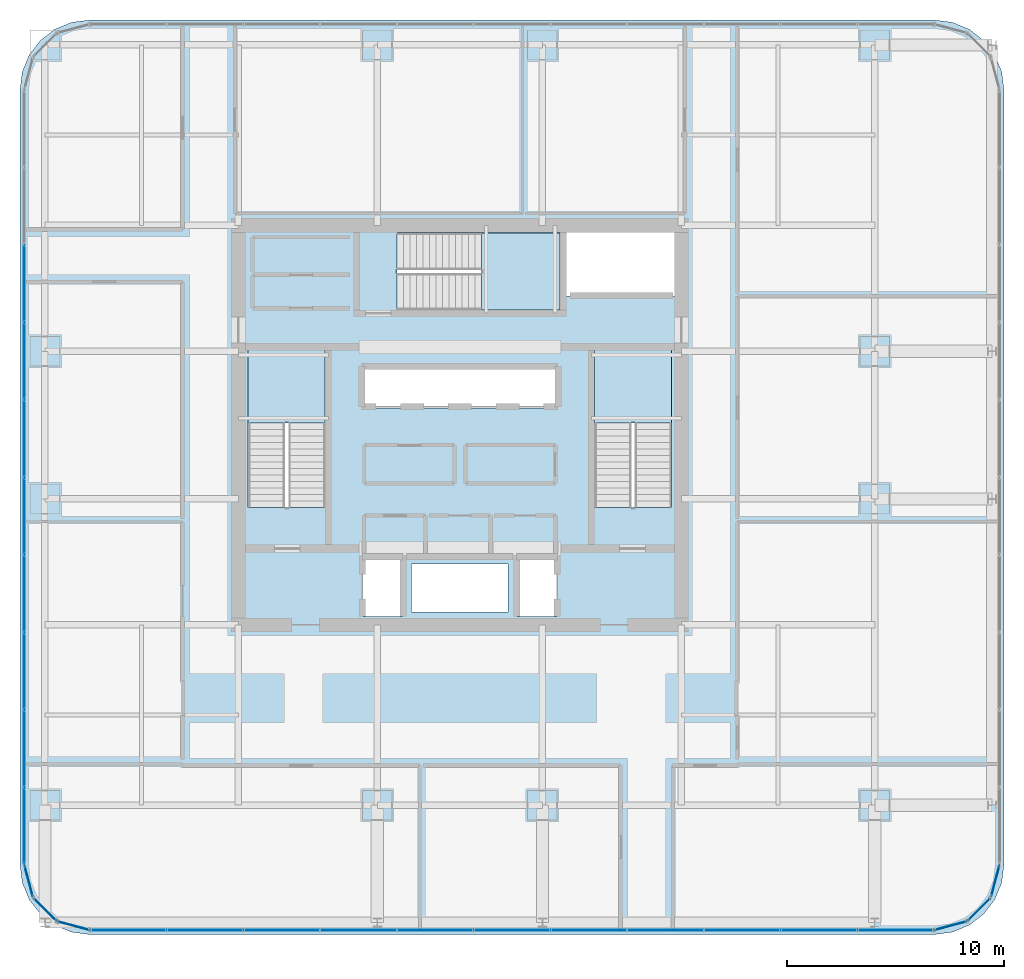
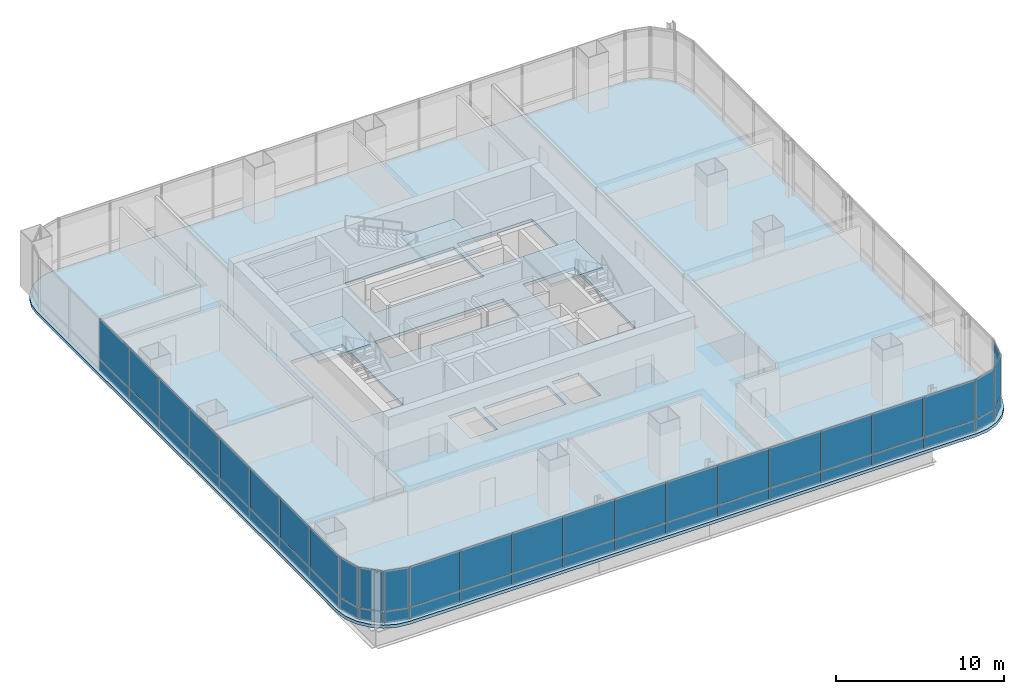
# One storey, part 27 of 36: 50 plates, 4 slabs, 11 elements without a shape of their own.
"""IFC4 building model written with IfcOpenShell, lengths in metres."""

from ifc_helpers import new_model, si_unit, direction, frame, origin, origin_2d, place, context, subcontext, project, spatial, polyline, rectangle, outline, extrude, material, layer, layer_set, type_object, element, aggregate, save


model = new_model("IFC4")

# Units and contexts
model_context = context("Model", 3, precision=1e-05, world=origin(), true_north=direction((0.0, 1.0)))
body_context = subcontext(model_context, "Body", "Model", "MODEL_VIEW")
ifc_project = project(units=[si_unit("LENGTHUNIT", "METRE"), si_unit("AREAUNIT", "SQUARE_METRE"), si_unit("VOLUMEUNIT", "CUBIC_METRE"), si_unit("PLANEANGLEUNIT", "RADIAN"), si_unit("MASSUNIT", "GRAM", prefix="KILO")], contexts=[model_context])

# Site, building, storey
site_placement = place(None, origin())
site = spatial("IfcSite", under=ifc_project, at=site_placement, CompositionType="ELEMENT")
building_placement = place(site_placement, origin())
building = spatial("IfcBuilding", under=site, at=building_placement, Name="Punatoya Terracotta Tower", CompositionType="ELEMENT")
storey_placement = place(building_placement, frame((0.0, 0.0, 208.64990234375)))
storey = spatial("IfcBuildingStorey", under=building, at=storey_placement, Name="L49", CompositionType="ELEMENT", Elevation=208.64990234375)

# Curtain wall, plates
ifc_material_1 = material(Name="Aluminium 6063-T6 + Double Low-E Glass", Category="aluminium")
curtain_wall_type = type_object("IfcCurtainWallType", Name="CW-M2", PredefinedType="NOTDEFINED", material=ifc_material_1)
curtain_wall_1_placement = place(storey_placement, origin())
curtain_wall_1 = element("IfcCurtainWall", 1, at=curtain_wall_1_placement, inside=storey, type_object=curtain_wall_type, Name="L49 Curtain Wall CW-L49-S01-1", PredefinedType="NOTDEFINED")
ifc_material_2 = material(Name="Double Low-E Acoustic Vision Glass", Category="glass")
ifc_layer_1 = layer(ifc_material_2, 0.031982421875)
ifc_layer_set_1 = layer_set([ifc_layer_1], Name="Double Low-E Acoustic Vision Glass")
plate_type_1 = type_object("IfcPlateType", Name="PLT-GLZ-32", PredefinedType="CURTAIN_PANEL", material=ifc_layer_set_1)
plate_1_placement = place(storey_placement, frame((-15.27001953125, -23.25, 0.89013671875), z_axis=(0.0, 0.0, 1.0), x_axis=(1.0, 0.0, 0.0)))
plate_1 = element("IfcPlate", 2, at=plate_1_placement, type_object=plate_type_1, Name="CW-L49-S01-1 Vision Glass Panel 1", PredefinedType="CURTAIN_PANEL", context=body_context, shape_type="SweptSolid", body=[
    extrude(rectangle(XDim=3.448974609375, YDim=0.031982421875, at=origin_2d()), origin(), (0.0, 0.0, 1.0), 2.89990234375),
])
plate_2_placement = place(storey_placement, frame((-11.73583984375, -23.25, 0.89013671875), z_axis=(0.0, 0.0, 1.0), x_axis=(1.0, 0.0, 0.0)))
plate_2 = element("IfcPlate", 3, at=plate_2_placement, type_object=plate_type_1, Name="CW-L49-S01-1 Vision Glass Panel 2", PredefinedType="CURTAIN_PANEL", context=body_context, shape_type="SweptSolid", body=[
    extrude(rectangle(XDim=3.448974609375, YDim=0.031982421875, at=origin_2d()), origin(), (0.0, 0.0, 1.0), 2.89990234375),
])
plate_3_placement = place(storey_placement, frame((-8.201904296875, -23.25, 0.89013671875), z_axis=(0.0, 0.0, 1.0), x_axis=(1.0, 0.0, 0.0)))
plate_3 = element("IfcPlate", 4, at=plate_3_placement, type_object=plate_type_1, Name="CW-L49-S01-1 Vision Glass Panel 3", PredefinedType="CURTAIN_PANEL", context=body_context, shape_type="SweptSolid", body=[
    extrude(rectangle(XDim=3.448974609375, YDim=0.031982421875, at=origin_2d()), origin(), (0.0, 0.0, 1.0), 2.89990234375),
])
plate_4_placement = place(storey_placement, frame((-4.66796875, -23.25, 0.89013671875), z_axis=(0.0, 0.0, 1.0), x_axis=(1.0, 0.0, 0.0)))
plate_4 = element("IfcPlate", 5, at=plate_4_placement, type_object=plate_type_1, Name="CW-L49-S01-1 Vision Glass Panel 4", PredefinedType="CURTAIN_PANEL", context=body_context, shape_type="SweptSolid", body=[
    extrude(rectangle(XDim=3.448974609375, YDim=0.031982421875, at=origin_2d()), origin(), (0.0, 0.0, 1.0), 2.89990234375),
])
plate_5_placement = place(storey_placement, frame((-1.134033203125, -23.25, 0.89013671875), z_axis=(0.0, 0.0, 1.0), x_axis=(1.0, 0.0, 0.0)))
plate_5 = element("IfcPlate", 6, at=plate_5_placement, type_object=plate_type_1, Name="CW-L49-S01-1 Vision Glass Panel 5", PredefinedType="CURTAIN_PANEL", context=body_context, shape_type="SweptSolid", body=[
    extrude(rectangle(XDim=3.448974609375, YDim=0.031982421875, at=origin_2d()), origin(), (0.0, 0.0, 1.0), 2.89990234375),
])
plate_6_placement = place(storey_placement, frame((2.39990234375, -23.25, 0.89013671875), z_axis=(0.0, 0.0, 1.0), x_axis=(1.0, 0.0, 0.0)))
plate_6 = element("IfcPlate", 7, at=plate_6_placement, type_object=plate_type_1, Name="CW-L49-S01-1 Vision Glass Panel 6", PredefinedType="CURTAIN_PANEL", context=body_context, shape_type="SweptSolid", body=[
    extrude(rectangle(XDim=3.448974609375, YDim=0.031982421875, at=origin_2d()), origin(), (0.0, 0.0, 1.0), 2.89990234375),
])
plate_7_placement = place(storey_placement, frame((5.93408203125, -23.25, 0.89013671875), z_axis=(0.0, 0.0, 1.0), x_axis=(1.0, 0.0, 0.0)))
plate_7 = element("IfcPlate", 8, at=plate_7_placement, type_object=plate_type_1, Name="CW-L49-S01-1 Vision Glass Panel 7", PredefinedType="CURTAIN_PANEL", context=body_context, shape_type="SweptSolid", body=[
    extrude(rectangle(XDim=3.448974609375, YDim=0.031982421875, at=origin_2d()), origin(), (0.0, 0.0, 1.0), 2.89990234375),
])
plate_8_placement = place(storey_placement, frame((9.468017578125, -23.25, 0.89013671875), z_axis=(0.0, 0.0, 1.0), x_axis=(1.0, 0.0, 0.0)))
plate_8 = element("IfcPlate", 9, at=plate_8_placement, type_object=plate_type_1, Name="CW-L49-S01-1 Vision Glass Panel 8", PredefinedType="CURTAIN_PANEL", context=body_context, shape_type="SweptSolid", body=[
    extrude(rectangle(XDim=3.448974609375, YDim=0.031982421875, at=origin_2d()), origin(), (0.0, 0.0, 1.0), 2.89990234375),
])
plate_9_placement = place(storey_placement, frame((13.001953125, -23.25, 0.89013671875), z_axis=(0.0, 0.0, 1.0), x_axis=(1.0, 0.0, 0.0)))
plate_9 = element("IfcPlate", 10, at=plate_9_placement, type_object=plate_type_1, Name="CW-L49-S01-1 Vision Glass Panel 9", PredefinedType="CURTAIN_PANEL", context=body_context, shape_type="SweptSolid", body=[
    extrude(rectangle(XDim=3.448974609375, YDim=0.031982421875, at=origin_2d()), origin(), (0.0, 0.0, 1.0), 2.89990234375),
])
plate_10_placement = place(storey_placement, frame((16.535888671875, -23.25, 0.89013671875), z_axis=(0.0, 0.0, 1.0), x_axis=(1.0, 0.0, 0.0)))
plate_10 = element("IfcPlate", 11, at=plate_10_placement, type_object=plate_type_1, Name="CW-L49-S01-1 Vision Glass Panel 10", PredefinedType="CURTAIN_PANEL", context=body_context, shape_type="SweptSolid", body=[
    extrude(rectangle(XDim=3.448974609375, YDim=0.031982421875, at=origin_2d()), origin(), (0.0, 0.0, 1.0), 2.89990234375),
])
plate_11_placement = place(storey_placement, frame((20.06982421875, -23.25, 0.89013671875), z_axis=(0.0, 0.0, 1.0), x_axis=(1.0, 0.0, 0.0)))
plate_11 = element("IfcPlate", 12, at=plate_11_placement, type_object=plate_type_1, Name="CW-L49-S01-1 Vision Glass Panel 11", PredefinedType="CURTAIN_PANEL", context=body_context, shape_type="SweptSolid", body=[
    extrude(rectangle(XDim=3.448974609375, YDim=0.031982421875, at=origin_2d()), origin(), (0.0, 0.0, 1.0), 2.89990234375),
])

# Curtain wall, plate
curtain_wall_2_placement = place(storey_placement, origin())
curtain_wall_2 = element("IfcCurtainWall", 13, at=curtain_wall_2_placement, inside=storey, type_object=curtain_wall_type, Name="L49 Curtain Wall CW-L49-CRN02", PredefinedType="NOTDEFINED")
plate_12_placement = place(storey_placement, frame((22.593017578125, -23.04833984375, 0.89013671875), z_axis=(0.0, 0.0, 1.0), x_axis=(0.966213877436, 0.257741620719, 0.0)))
plate_12 = element("IfcPlate", 14, at=plate_12_placement, type_object=plate_type_1, Name="CW-L49-CRN02 Vision Glass Panel 1", PredefinedType="CURTAIN_PANEL", context=body_context, shape_type="SweptSolid", body=[
    extrude(rectangle(XDim=1.47998046875, YDim=0.031982421875, at=origin_2d()), origin(), (0.0, 0.0, 1.0), 2.89990234375),
])

curtain_wall_3_placement = place(storey_placement, origin())
curtain_wall_3 = element("IfcCurtainWall", 15, at=curtain_wall_3_placement, inside=storey, type_object=curtain_wall_type, Name="L49 Curtain Wall CW-L49-CRN03", PredefinedType="NOTDEFINED")
plate_13_placement = place(storey_placement, frame((23.89794921875, -22.2978515625, 0.89013671875), z_axis=(0.0, 0.0, 1.0), x_axis=(0.707106781187, 0.707106781187, 0.0)))
plate_13 = element("IfcPlate", 16, at=plate_13_placement, type_object=plate_type_1, Name="CW-L49-CRN03 Vision Glass Panel 1", PredefinedType="CURTAIN_PANEL", context=body_context, shape_type="SweptSolid", body=[
    extrude(rectangle(XDim=1.467041015625, YDim=0.031982421875, at=origin_2d()), origin(), (0.0, 0.0, 1.0), 2.89990234375),
])

curtain_wall_4_placement = place(storey_placement, origin())
curtain_wall_4 = element("IfcCurtainWall", 17, at=curtain_wall_4_placement, inside=storey, type_object=curtain_wall_type, Name="L49 Curtain Wall CW-L49-CRN04", PredefinedType="NOTDEFINED")
plate_14_placement = place(storey_placement, frame((24.648193359375, -20.992919921875, 0.89013671875), z_axis=(0.0, 0.0, 1.0), x_axis=(0.257741620719, 0.966213877436, 0.0)))
plate_14 = element("IfcPlate", 18, at=plate_14_placement, type_object=plate_type_1, Name="CW-L49-CRN04 Vision Glass Panel 1", PredefinedType="CURTAIN_PANEL", context=body_context, shape_type="SweptSolid", body=[
    extrude(rectangle(XDim=1.47998046875, YDim=0.031982421875, at=origin_2d()), origin(), (0.0, 0.0, 1.0), 2.89990234375),
])

# Curtain wall, plates
curtain_wall_5_placement = place(storey_placement, origin())
curtain_wall_5 = element("IfcCurtainWall", 19, at=curtain_wall_5_placement, inside=storey, type_object=curtain_wall_type, Name="L49 Curtain Wall CW-L49-W13-1", PredefinedType="NOTDEFINED")
plate_15_placement = place(storey_placement, frame((-20.050048828125, 6.518310546875, 0.89013671875), z_axis=(0.0, 0.0, 1.0), x_axis=(0.0, -1.0, 0.0)))
plate_15 = element("IfcPlate", 20, at=plate_15_placement, type_object=plate_type_1, Name="CW-L49-W13-1 Vision Glass Panel 3", PredefinedType="CURTAIN_PANEL", context=body_context, shape_type="SweptSolid", body=[
    extrude(rectangle(XDim=3.482421875, YDim=0.031982421875, at=origin_2d()), origin(), (0.0, 0.0, 1.0), 2.89990234375),
])
plate_16_placement = place(storey_placement, frame((-20.050048828125, 2.951171875, 0.89013671875), z_axis=(0.0, 0.0, 1.0), x_axis=(0.0, -1.0, 0.0)))
plate_16 = element("IfcPlate", 21, at=plate_16_placement, type_object=plate_type_1, Name="CW-L49-W13-1 Vision Glass Panel 4", PredefinedType="CURTAIN_PANEL", context=body_context, shape_type="SweptSolid", body=[
    extrude(rectangle(XDim=3.482421875, YDim=0.031982421875, at=origin_2d()), origin(), (0.0, 0.0, 1.0), 2.89990234375),
])
plate_17_placement = place(storey_placement, frame((-20.050048828125, -0.6162109375, 0.89013671875), z_axis=(0.0, 0.0, 1.0), x_axis=(0.0, -1.0, 0.0)))
plate_17 = element("IfcPlate", 22, at=plate_17_placement, type_object=plate_type_1, Name="CW-L49-W13-1 Vision Glass Panel 5", PredefinedType="CURTAIN_PANEL", context=body_context, shape_type="SweptSolid", body=[
    extrude(rectangle(XDim=3.482421875, YDim=0.031982421875, at=origin_2d()), origin(), (0.0, 0.0, 1.0), 2.89990234375),
])
plate_18_placement = place(storey_placement, frame((-20.050048828125, -4.18359375, 0.89013671875), z_axis=(0.0, 0.0, 1.0), x_axis=(0.0, -1.0, 0.0)))
plate_18 = element("IfcPlate", 23, at=plate_18_placement, type_object=plate_type_1, Name="CW-L49-W13-1 Vision Glass Panel 6", PredefinedType="CURTAIN_PANEL", context=body_context, shape_type="SweptSolid", body=[
    extrude(rectangle(XDim=3.482421875, YDim=0.031982421875, at=origin_2d()), origin(), (0.0, 0.0, 1.0), 2.89990234375),
])
plate_19_placement = place(storey_placement, frame((-20.050048828125, -7.751220703125, 0.89013671875), z_axis=(0.0, 0.0, 1.0), x_axis=(0.0, -1.0, 0.0)))
plate_19 = element("IfcPlate", 24, at=plate_19_placement, type_object=plate_type_1, Name="CW-L49-W13-1 Vision Glass Panel 7", PredefinedType="CURTAIN_PANEL", context=body_context, shape_type="SweptSolid", body=[
    extrude(rectangle(XDim=3.482421875, YDim=0.031982421875, at=origin_2d()), origin(), (0.0, 0.0, 1.0), 2.89990234375),
])
plate_20_placement = place(storey_placement, frame((-20.050048828125, -11.318359375, 0.89013671875), z_axis=(0.0, 0.0, 1.0), x_axis=(0.0, -1.0, 0.0)))
plate_20 = element("IfcPlate", 25, at=plate_20_placement, type_object=plate_type_1, Name="CW-L49-W13-1 Vision Glass Panel 8", PredefinedType="CURTAIN_PANEL", context=body_context, shape_type="SweptSolid", body=[
    extrude(rectangle(XDim=3.482421875, YDim=0.031982421875, at=origin_2d()), origin(), (0.0, 0.0, 1.0), 2.89990234375),
])
plate_21_placement = place(storey_placement, frame((-20.050048828125, -14.8857421875, 0.89013671875), z_axis=(0.0, 0.0, 1.0), x_axis=(0.0, -1.0, 0.0)))
plate_21 = element("IfcPlate", 26, at=plate_21_placement, type_object=plate_type_1, Name="CW-L49-W13-1 Vision Glass Panel 9", PredefinedType="CURTAIN_PANEL", context=body_context, shape_type="SweptSolid", body=[
    extrude(rectangle(XDim=3.482421875, YDim=0.031982421875, at=origin_2d()), origin(), (0.0, 0.0, 1.0), 2.89990234375),
])
plate_22_placement = place(storey_placement, frame((-20.050048828125, -18.453125, 0.89013671875), z_axis=(0.0, 0.0, 1.0), x_axis=(0.0, -1.0, 0.0)))
plate_22 = element("IfcPlate", 27, at=plate_22_placement, type_object=plate_type_1, Name="CW-L49-W13-1 Vision Glass Panel 10", PredefinedType="CURTAIN_PANEL", context=body_context, shape_type="SweptSolid", body=[
    extrude(rectangle(XDim=3.482421875, YDim=0.031982421875, at=origin_2d()), origin(), (0.0, 0.0, 1.0), 2.89990234375),
])

# Curtain wall, plate
curtain_wall_6_placement = place(storey_placement, origin())
curtain_wall_6 = element("IfcCurtainWall", 28, at=curtain_wall_6_placement, inside=storey, type_object=curtain_wall_type, Name="L49 Curtain Wall CW-L49-CRN14", PredefinedType="NOTDEFINED")
plate_23_placement = place(storey_placement, frame((-19.848388671875, -20.992919921875, 0.89013671875), z_axis=(0.0, 0.0, 1.0), x_axis=(0.257741620719, -0.966213877436, 0.0)))
plate_23 = element("IfcPlate", 29, at=plate_23_placement, type_object=plate_type_1, Name="CW-L49-CRN14 Vision Glass Panel 1", PredefinedType="CURTAIN_PANEL", context=body_context, shape_type="SweptSolid", body=[
    extrude(rectangle(XDim=1.47998046875, YDim=0.031982421875, at=origin_2d()), origin(), (0.0, 0.0, 1.0), 2.89990234375),
])

curtain_wall_7_placement = place(storey_placement, origin())
curtain_wall_7 = element("IfcCurtainWall", 30, at=curtain_wall_7_placement, inside=storey, type_object=curtain_wall_type, Name="L49 Curtain Wall CW-L49-CRN15", PredefinedType="NOTDEFINED")
plate_24_placement = place(storey_placement, frame((-19.097900390625, -22.2978515625, 0.89013671875), z_axis=(0.0, 0.0, 1.0), x_axis=(0.707106781187, -0.707106781187, 0.0)))
plate_24 = element("IfcPlate", 31, at=plate_24_placement, type_object=plate_type_1, Name="CW-L49-CRN15 Vision Glass Panel 1", PredefinedType="CURTAIN_PANEL", context=body_context, shape_type="SweptSolid", body=[
    extrude(rectangle(XDim=1.467041015625, YDim=0.031982421875, at=origin_2d()), origin(), (0.0, 0.0, 1.0), 2.89990234375),
])

curtain_wall_8_placement = place(storey_placement, origin())
curtain_wall_8 = element("IfcCurtainWall", 32, at=curtain_wall_8_placement, inside=storey, type_object=curtain_wall_type, Name="L49 Curtain Wall CW-L49-CRN16", PredefinedType="NOTDEFINED")
plate_25_placement = place(storey_placement, frame((-17.79296875, -23.04833984375, 0.89013671875), z_axis=(0.0, 0.0, 1.0), x_axis=(0.966213877436, -0.257741620719, 0.0)))
plate_25 = element("IfcPlate", 33, at=plate_25_placement, type_object=plate_type_1, Name="CW-L49-CRN16 Vision Glass Panel 1", PredefinedType="CURTAIN_PANEL", context=body_context, shape_type="SweptSolid", body=[
    extrude(rectangle(XDim=1.47998046875, YDim=0.031982421875, at=origin_2d()), origin(), (0.0, 0.0, 1.0), 2.89990234375),
])

# Plate
ifc_material_3 = material(Name="Insulated Terracotta-Backed Spandrel Panel", Category="masonry")
ifc_layer_2 = layer(ifc_material_3, 0.044921875)
ifc_layer_set_2 = layer_set([ifc_layer_2], Name="Insulated Terracotta-Backed Spandrel Panel")
plate_type_2 = type_object("IfcPlateType", Name="PLT-SPN-45", PredefinedType="CURTAIN_PANEL", material=ifc_layer_set_2)
plate_26_placement = place(storey_placement, frame((-15.27001953125, -23.25, 0.0400390625), z_axis=(0.0, 0.0, 1.0), x_axis=(1.0, 0.0, 0.0)))
plate_26 = element("IfcPlate", 34, at=plate_26_placement, type_object=plate_type_2, Name="CW-L49-S01-1 Terracotta Spandrel Panel 1", PredefinedType="CURTAIN_PANEL", context=body_context, shape_type="SweptSolid", body=[
    extrude(rectangle(XDim=3.448974609375, YDim=0.044921875, at=origin_2d()), origin(), (0.0, 0.0, 1.0), 0.77490234375),
])

plate_27_placement = place(storey_placement, frame((-11.73583984375, -23.25, 0.0400390625), z_axis=(0.0, 0.0, 1.0), x_axis=(1.0, 0.0, 0.0)))
plate_27 = element("IfcPlate", 35, at=plate_27_placement, type_object=plate_type_2, Name="CW-L49-S01-1 Terracotta Spandrel Panel 2", PredefinedType="CURTAIN_PANEL", context=body_context, shape_type="SweptSolid", body=[
    extrude(rectangle(XDim=3.448974609375, YDim=0.044921875, at=origin_2d()), origin(), (0.0, 0.0, 1.0), 0.77490234375),
])

plate_28_placement = place(storey_placement, frame((-8.201904296875, -23.25, 0.0400390625), z_axis=(0.0, 0.0, 1.0), x_axis=(1.0, 0.0, 0.0)))
plate_28 = element("IfcPlate", 36, at=plate_28_placement, type_object=plate_type_2, Name="CW-L49-S01-1 Terracotta Spandrel Panel 3", PredefinedType="CURTAIN_PANEL", context=body_context, shape_type="SweptSolid", body=[
    extrude(rectangle(XDim=3.448974609375, YDim=0.044921875, at=origin_2d()), origin(), (0.0, 0.0, 1.0), 0.77490234375),
])

plate_29_placement = place(storey_placement, frame((-4.66796875, -23.25, 0.0400390625), z_axis=(0.0, 0.0, 1.0), x_axis=(1.0, 0.0, 0.0)))
plate_29 = element("IfcPlate", 37, at=plate_29_placement, type_object=plate_type_2, Name="CW-L49-S01-1 Terracotta Spandrel Panel 4", PredefinedType="CURTAIN_PANEL", context=body_context, shape_type="SweptSolid", body=[
    extrude(rectangle(XDim=3.448974609375, YDim=0.044921875, at=origin_2d()), origin(), (0.0, 0.0, 1.0), 0.77490234375),
])

plate_30_placement = place(storey_placement, frame((-1.134033203125, -23.25, 0.0400390625), z_axis=(0.0, 0.0, 1.0), x_axis=(1.0, 0.0, 0.0)))
plate_30 = element("IfcPlate", 38, at=plate_30_placement, type_object=plate_type_2, Name="CW-L49-S01-1 Terracotta Spandrel Panel 5", PredefinedType="CURTAIN_PANEL", context=body_context, shape_type="SweptSolid", body=[
    extrude(rectangle(XDim=3.448974609375, YDim=0.044921875, at=origin_2d()), origin(), (0.0, 0.0, 1.0), 0.77490234375),
])

plate_31_placement = place(storey_placement, frame((2.39990234375, -23.25, 0.0400390625), z_axis=(0.0, 0.0, 1.0), x_axis=(1.0, 0.0, 0.0)))
plate_31 = element("IfcPlate", 39, at=plate_31_placement, type_object=plate_type_2, Name="CW-L49-S01-1 Terracotta Spandrel Panel 6", PredefinedType="CURTAIN_PANEL", context=body_context, shape_type="SweptSolid", body=[
    extrude(rectangle(XDim=3.448974609375, YDim=0.044921875, at=origin_2d()), origin(), (0.0, 0.0, 1.0), 0.77490234375),
])

plate_32_placement = place(storey_placement, frame((5.93408203125, -23.25, 0.0400390625), z_axis=(0.0, 0.0, 1.0), x_axis=(1.0, 0.0, 0.0)))
plate_32 = element("IfcPlate", 40, at=plate_32_placement, type_object=plate_type_2, Name="CW-L49-S01-1 Terracotta Spandrel Panel 7", PredefinedType="CURTAIN_PANEL", context=body_context, shape_type="SweptSolid", body=[
    extrude(rectangle(XDim=3.448974609375, YDim=0.044921875, at=origin_2d()), origin(), (0.0, 0.0, 1.0), 0.77490234375),
])

plate_33_placement = place(storey_placement, frame((9.468017578125, -23.25, 0.0400390625), z_axis=(0.0, 0.0, 1.0), x_axis=(1.0, 0.0, 0.0)))
plate_33 = element("IfcPlate", 41, at=plate_33_placement, type_object=plate_type_2, Name="CW-L49-S01-1 Terracotta Spandrel Panel 8", PredefinedType="CURTAIN_PANEL", context=body_context, shape_type="SweptSolid", body=[
    extrude(rectangle(XDim=3.448974609375, YDim=0.044921875, at=origin_2d()), origin(), (0.0, 0.0, 1.0), 0.77490234375),
])

plate_34_placement = place(storey_placement, frame((13.001953125, -23.25, 0.0400390625), z_axis=(0.0, 0.0, 1.0), x_axis=(1.0, 0.0, 0.0)))
plate_34 = element("IfcPlate", 42, at=plate_34_placement, type_object=plate_type_2, Name="CW-L49-S01-1 Terracotta Spandrel Panel 9", PredefinedType="CURTAIN_PANEL", context=body_context, shape_type="SweptSolid", body=[
    extrude(rectangle(XDim=3.448974609375, YDim=0.044921875, at=origin_2d()), origin(), (0.0, 0.0, 1.0), 0.77490234375),
])

plate_35_placement = place(storey_placement, frame((16.535888671875, -23.25, 0.0400390625), z_axis=(0.0, 0.0, 1.0), x_axis=(1.0, 0.0, 0.0)))
plate_35 = element("IfcPlate", 43, at=plate_35_placement, type_object=plate_type_2, Name="CW-L49-S01-1 Terracotta Spandrel Panel 10", PredefinedType="CURTAIN_PANEL", context=body_context, shape_type="SweptSolid", body=[
    extrude(rectangle(XDim=3.448974609375, YDim=0.044921875, at=origin_2d()), origin(), (0.0, 0.0, 1.0), 0.77490234375),
])

plate_36_placement = place(storey_placement, frame((20.06982421875, -23.25, 0.0400390625), z_axis=(0.0, 0.0, 1.0), x_axis=(1.0, 0.0, 0.0)))
plate_36 = element("IfcPlate", 44, at=plate_36_placement, type_object=plate_type_2, Name="CW-L49-S01-1 Terracotta Spandrel Panel 11", PredefinedType="CURTAIN_PANEL", context=body_context, shape_type="SweptSolid", body=[
    extrude(rectangle(XDim=3.448974609375, YDim=0.044921875, at=origin_2d()), origin(), (0.0, 0.0, 1.0), 0.77490234375),
])

aggregate(curtain_wall_1, [plate_26, plate_1, plate_27, plate_2, plate_28, plate_3, plate_29, plate_4, plate_30, plate_5, plate_31, plate_6, plate_32, plate_7, plate_33, plate_8, plate_34, plate_9, plate_35, plate_10, plate_36, plate_11])

plate_37_placement = place(storey_placement, frame((22.593017578125, -23.04833984375, 0.0400390625), z_axis=(0.0, 0.0, 1.0), x_axis=(0.966213877436, 0.257741620719, 0.0)))
plate_37 = element("IfcPlate", 45, at=plate_37_placement, type_object=plate_type_2, Name="CW-L49-CRN02 Terracotta Spandrel Panel 1", PredefinedType="CURTAIN_PANEL", context=body_context, shape_type="SweptSolid", body=[
    extrude(rectangle(XDim=1.47998046875, YDim=0.044921875, at=origin_2d()), origin(), (0.0, 0.0, 1.0), 0.77490234375),
])

aggregate(curtain_wall_2, [plate_37, plate_12])

plate_38_placement = place(storey_placement, frame((23.89794921875, -22.2978515625, 0.0400390625), z_axis=(0.0, 0.0, 1.0), x_axis=(0.707106781187, 0.707106781187, 0.0)))
plate_38 = element("IfcPlate", 46, at=plate_38_placement, type_object=plate_type_2, Name="CW-L49-CRN03 Terracotta Spandrel Panel 1", PredefinedType="CURTAIN_PANEL", context=body_context, shape_type="SweptSolid", body=[
    extrude(rectangle(XDim=1.467041015625, YDim=0.044921875, at=origin_2d()), origin(), (0.0, 0.0, 1.0), 0.77490234375),
])

aggregate(curtain_wall_3, [plate_38, plate_13])

plate_39_placement = place(storey_placement, frame((24.648193359375, -20.992919921875, 0.0400390625), z_axis=(0.0, 0.0, 1.0), x_axis=(0.257741620719, 0.966213877436, 0.0)))
plate_39 = element("IfcPlate", 47, at=plate_39_placement, type_object=plate_type_2, Name="CW-L49-CRN04 Terracotta Spandrel Panel 1", PredefinedType="CURTAIN_PANEL", context=body_context, shape_type="SweptSolid", body=[
    extrude(rectangle(XDim=1.47998046875, YDim=0.044921875, at=origin_2d()), origin(), (0.0, 0.0, 1.0), 0.77490234375),
])

aggregate(curtain_wall_4, [plate_39, plate_14])

plate_40_placement = place(storey_placement, frame((-20.050048828125, 6.518310546875, 0.0400390625), z_axis=(0.0, 0.0, 1.0), x_axis=(0.0, -1.0, 0.0)))
plate_40 = element("IfcPlate", 48, at=plate_40_placement, type_object=plate_type_2, Name="CW-L49-W13-1 Terracotta Spandrel Panel 3", PredefinedType="CURTAIN_PANEL", context=body_context, shape_type="SweptSolid", body=[
    extrude(rectangle(XDim=3.482421875, YDim=0.044921875, at=origin_2d()), origin(), (0.0, 0.0, 1.0), 0.77490234375),
])

plate_41_placement = place(storey_placement, frame((-20.050048828125, 2.951171875, 0.0400390625), z_axis=(0.0, 0.0, 1.0), x_axis=(0.0, -1.0, 0.0)))
plate_41 = element("IfcPlate", 49, at=plate_41_placement, type_object=plate_type_2, Name="CW-L49-W13-1 Terracotta Spandrel Panel 4", PredefinedType="CURTAIN_PANEL", context=body_context, shape_type="SweptSolid", body=[
    extrude(rectangle(XDim=3.482421875, YDim=0.044921875, at=origin_2d()), origin(), (0.0, 0.0, 1.0), 0.77490234375),
])

plate_42_placement = place(storey_placement, frame((-20.050048828125, -0.6162109375, 0.0400390625), z_axis=(0.0, 0.0, 1.0), x_axis=(0.0, -1.0, 0.0)))
plate_42 = element("IfcPlate", 50, at=plate_42_placement, type_object=plate_type_2, Name="CW-L49-W13-1 Terracotta Spandrel Panel 5", PredefinedType="CURTAIN_PANEL", context=body_context, shape_type="SweptSolid", body=[
    extrude(rectangle(XDim=3.482421875, YDim=0.044921875, at=origin_2d()), origin(), (0.0, 0.0, 1.0), 0.77490234375),
])

plate_43_placement = place(storey_placement, frame((-20.050048828125, -4.18359375, 0.0400390625), z_axis=(0.0, 0.0, 1.0), x_axis=(0.0, -1.0, 0.0)))
plate_43 = element("IfcPlate", 51, at=plate_43_placement, type_object=plate_type_2, Name="CW-L49-W13-1 Terracotta Spandrel Panel 6", PredefinedType="CURTAIN_PANEL", context=body_context, shape_type="SweptSolid", body=[
    extrude(rectangle(XDim=3.482421875, YDim=0.044921875, at=origin_2d()), origin(), (0.0, 0.0, 1.0), 0.77490234375),
])

plate_44_placement = place(storey_placement, frame((-20.050048828125, -7.751220703125, 0.0400390625), z_axis=(0.0, 0.0, 1.0), x_axis=(0.0, -1.0, 0.0)))
plate_44 = element("IfcPlate", 52, at=plate_44_placement, type_object=plate_type_2, Name="CW-L49-W13-1 Terracotta Spandrel Panel 7", PredefinedType="CURTAIN_PANEL", context=body_context, shape_type="SweptSolid", body=[
    extrude(rectangle(XDim=3.482421875, YDim=0.044921875, at=origin_2d()), origin(), (0.0, 0.0, 1.0), 0.77490234375),
])

plate_45_placement = place(storey_placement, frame((-20.050048828125, -11.318359375, 0.0400390625), z_axis=(0.0, 0.0, 1.0), x_axis=(0.0, -1.0, 0.0)))
plate_45 = element("IfcPlate", 53, at=plate_45_placement, type_object=plate_type_2, Name="CW-L49-W13-1 Terracotta Spandrel Panel 8", PredefinedType="CURTAIN_PANEL", context=body_context, shape_type="SweptSolid", body=[
    extrude(rectangle(XDim=3.482421875, YDim=0.044921875, at=origin_2d()), origin(), (0.0, 0.0, 1.0), 0.77490234375),
])

plate_46_placement = place(storey_placement, frame((-20.050048828125, -14.8857421875, 0.0400390625), z_axis=(0.0, 0.0, 1.0), x_axis=(0.0, -1.0, 0.0)))
plate_46 = element("IfcPlate", 54, at=plate_46_placement, type_object=plate_type_2, Name="CW-L49-W13-1 Terracotta Spandrel Panel 9", PredefinedType="CURTAIN_PANEL", context=body_context, shape_type="SweptSolid", body=[
    extrude(rectangle(XDim=3.482421875, YDim=0.044921875, at=origin_2d()), origin(), (0.0, 0.0, 1.0), 0.77490234375),
])

plate_47_placement = place(storey_placement, frame((-20.050048828125, -18.453125, 0.0400390625), z_axis=(0.0, 0.0, 1.0), x_axis=(0.0, -1.0, 0.0)))
plate_47 = element("IfcPlate", 55, at=plate_47_placement, type_object=plate_type_2, Name="CW-L49-W13-1 Terracotta Spandrel Panel 10", PredefinedType="CURTAIN_PANEL", context=body_context, shape_type="SweptSolid", body=[
    extrude(rectangle(XDim=3.482421875, YDim=0.044921875, at=origin_2d()), origin(), (0.0, 0.0, 1.0), 0.77490234375),
])

aggregate(curtain_wall_5, [plate_40, plate_15, plate_41, plate_16, plate_42, plate_17, plate_43, plate_18, plate_44, plate_19, plate_45, plate_20, plate_46, plate_21, plate_47, plate_22])

plate_48_placement = place(storey_placement, frame((-19.848388671875, -20.992919921875, 0.0400390625), z_axis=(0.0, 0.0, 1.0), x_axis=(0.257741620719, -0.966213877436, 0.0)))
plate_48 = element("IfcPlate", 56, at=plate_48_placement, type_object=plate_type_2, Name="CW-L49-CRN14 Terracotta Spandrel Panel 1", PredefinedType="CURTAIN_PANEL", context=body_context, shape_type="SweptSolid", body=[
    extrude(rectangle(XDim=1.47998046875, YDim=0.044921875, at=origin_2d()), origin(), (0.0, 0.0, 1.0), 0.77490234375),
])

aggregate(curtain_wall_6, [plate_48, plate_23])

plate_49_placement = place(storey_placement, frame((-19.097900390625, -22.2978515625, 0.0400390625), z_axis=(0.0, 0.0, 1.0), x_axis=(0.707106781187, -0.707106781187, 0.0)))
plate_49 = element("IfcPlate", 57, at=plate_49_placement, type_object=plate_type_2, Name="CW-L49-CRN15 Terracotta Spandrel Panel 1", PredefinedType="CURTAIN_PANEL", context=body_context, shape_type="SweptSolid", body=[
    extrude(rectangle(XDim=1.467041015625, YDim=0.044921875, at=origin_2d()), origin(), (0.0, 0.0, 1.0), 0.77490234375),
])

aggregate(curtain_wall_7, [plate_49, plate_24])

plate_50_placement = place(storey_placement, frame((-17.79296875, -23.04833984375, 0.0400390625), z_axis=(0.0, 0.0, 1.0), x_axis=(0.966213877436, -0.257741620719, 0.0)))
plate_50 = element("IfcPlate", 58, at=plate_50_placement, type_object=plate_type_2, Name="CW-L49-CRN16 Terracotta Spandrel Panel 1", PredefinedType="CURTAIN_PANEL", context=body_context, shape_type="SweptSolid", body=[
    extrude(rectangle(XDim=1.47998046875, YDim=0.044921875, at=origin_2d()), origin(), (0.0, 0.0, 1.0), 0.77490234375),
])

aggregate(curtain_wall_8, [plate_50, plate_25])

# Stair, slab
ifc_material_4 = material(Name="Concrete C40/50", Category="concrete")
stair_type_1 = type_object("IfcStairType", Name="STR-TER-1450", PredefinedType="HALF_TURN_STAIR", material=ifc_material_4)
stair_1_placement = place(storey_placement, origin())
stair_1 = element("IfcStair", 59, at=stair_1_placement, inside=storey, type_object=stair_type_1, Name="L49 Protected Core Exit Stair ST-3", PredefinedType="HALF_TURN_STAIR")
ifc_layer_3 = layer(ifc_material_4, 0.1650390625)
ifc_layer_set_3 = layer_set([ifc_layer_3], Name="Concrete C40/50")
slab_type_1 = type_object("IfcSlabType", Name="SLB-LND-165", PredefinedType="LANDING", material=ifc_layer_set_3)
slab_1_placement = place(storey_placement, frame((0.0, 0.0, 1.8251953125)))
slab_1 = element("IfcSlab", 60, at=slab_1_placement, type_object=slab_type_1, Name="ST-3 landing 1", PredefinedType="LANDING", context=body_context, shape_type="SweptSolid", body=[
    extrude(outline(polyline([(1.0, 5.300048828125), (4.60009765625, 5.300048828125), (4.60009765625, 8.85009765625), (1.0, 8.85009765625), (1.0, 5.300048828125)])), origin(), (0.0, 0.0, 1.0), 0.199951171875),
])
aggregate(stair_1, [slab_1])

stair_type_2 = type_object("IfcStairType", Name="STR-CORE-1550", PredefinedType="HALF_TURN_STAIR", material=ifc_material_4)
stair_2_placement = place(storey_placement, origin())
stair_2 = element("IfcStair", 61, at=stair_2_placement, inside=storey, type_object=stair_type_2, Name="L49 Protected Core Exit Stair ST-1", PredefinedType="HALF_TURN_STAIR")
ifc_layer_4 = layer(ifc_material_4, 0.179931640625)
ifc_layer_set_4 = layer_set([ifc_layer_4], Name="Concrete C40/50")
slab_type_2 = type_object("IfcSlabType", Name="SLB-LND-180", PredefinedType="LANDING", material=ifc_layer_set_4)
slab_2_placement = place(storey_placement, frame((0.0, 0.0, 1.8251953125)))
slab_2 = element("IfcSlab", 62, at=slab_2_placement, type_object=slab_type_2, Name="ST-1 landing 1", PredefinedType="LANDING", context=body_context, shape_type="SweptSolid", body=[
    extrude(outline(polyline([(-6.199951171875, 0.10009765625), (-6.199951171875, 3.449951171875), (-9.75, 3.449951171875), (-9.75, 0.10009765625), (-6.199951171875, 0.10009765625)])), origin(), (0.0, 0.0, 1.0), 0.199951171875),
])
aggregate(stair_2, [slab_2])

stair_type_3 = type_object("IfcStairType", Name="STR-LOB-1650", PredefinedType="HALF_TURN_STAIR", material=ifc_material_4)
stair_3_placement = place(storey_placement, origin())
stair_3 = element("IfcStair", 63, at=stair_3_placement, inside=storey, type_object=stair_type_3, Name="L49 Protected Core Exit Stair ST-2", PredefinedType="HALF_TURN_STAIR")
slab_3_placement = place(storey_placement, frame((0.0, 0.0, 1.8251953125)))
slab_3 = element("IfcSlab", 64, at=slab_3_placement, type_object=slab_type_2, Name="ST-2 landing 1", PredefinedType="LANDING", context=body_context, shape_type="SweptSolid", body=[
    extrude(outline(polyline([(9.75, 0.10009765625), (9.75, 3.449951171875), (6.199951171875, 3.449951171875), (6.199951171875, 0.10009765625), (9.75, 0.10009765625)])), origin(), (0.0, 0.0, 1.0), 0.199951171875),
])
aggregate(stair_3, [slab_3])

# Slab
ifc_layer_5 = layer(ifc_material_4, 0.219970703125)
ifc_layer_set_5 = layer_set([ifc_layer_5], Name="Concrete C40/50")
slab_type_3 = type_object("IfcSlabType", Name="SLB-OFF-220", PredefinedType="FLOOR", material=ifc_layer_set_5)
slab_4_placement = place(storey_placement, frame((0.0, 0.0, -0.219970703125)))
element("IfcSlab", 65, at=slab_4_placement, inside=storey, type_object=slab_type_3, Name="L49 Structural Floor Slab", PredefinedType="FLOOR", context=body_context, shape_type="SweptSolid", body=[
    extrude(outline(polyline([(-17.050048828125, -23.449951171875), (-17.878173828125, -23.341064453125), (-18.64990234375, -23.021240234375), (-19.312744140625, -22.5126953125), (-19.8212890625, -21.85009765625), (-20.14111328125, -21.078125), (-20.25, -20.25), (-20.25, 15.449951171875), (-20.14111328125, 16.2783203125), (-19.8212890625, 17.050048828125), (-19.312744140625, 17.712646484375), (-18.64990234375, 18.22119140625), (-17.878173828125, 18.541015625), (-17.050048828125, 18.64990234375), (21.85009765625, 18.64990234375), (22.67822265625, 18.541015625), (23.449951171875, 18.22119140625), (24.11279296875, 17.712646484375), (24.621337890625, 17.050048828125), (24.94091796875, 16.2783203125), (25.050048828125, 15.449951171875), (25.050048828125, -20.25), (24.94091796875, -21.078125), (24.621337890625, -21.85009765625), (24.11279296875, -22.5126953125), (23.449951171875, -23.021240234375), (22.67822265625, -23.341064453125), (21.85009765625, -23.449951171875), (-17.050048828125, -23.449951171875)]), holes=[polyline([(-2.6298828125, -6.179931640625), (-4.469970703125, -6.179931640625), (-4.469970703125, -8.820068359375), (-2.6298828125, -8.820068359375), (-2.6298828125, -6.179931640625)]), polyline([(0.02001953125, -8.594970703125), (2.219970703125, -8.594970703125), (2.219970703125, -6.405029296875), (0.02001953125, -6.405029296875), (-0.02001953125, -6.405029296875), (-2.219970703125, -6.405029296875), (-2.219970703125, -8.594970703125), (-0.02001953125, -8.594970703125), (0.02001953125, -8.594970703125)]), polyline([(-6.199951171875, 3.449951171875), (-9.75, 3.449951171875), (-9.75, -3.79931640625), (-6.199951171875, -3.79931640625), (-6.199951171875, 3.449951171875)]), polyline([(-4.419921875, 2.719970703125), (-4.419921875, 0.780029296875), (-2.219970703125, 0.780029296875), (-2.179931640625, 0.780029296875), (-0.02001953125, 0.780029296875), (0.02001953125, 0.780029296875), (2.179931640625, 0.780029296875), (2.219970703125, 0.780029296875), (4.419921875, 0.780029296875), (4.419921875, 2.719970703125), (2.219970703125, 2.719970703125), (2.179931640625, 2.719970703125), (0.02001953125, 2.719970703125), (-0.02001953125, 2.719970703125), (-2.179931640625, 2.719970703125), (-2.219970703125, 2.719970703125), (-4.419921875, 2.719970703125)]), polyline([(4.60009765625, 5.300048828125), (4.60009765625, 8.85009765625), (-2.899169921875, 8.85009765625), (-2.899169921875, 5.300048828125), (4.60009765625, 5.300048828125)]), polyline([(4.469970703125, -8.820068359375), (4.469970703125, -6.179931640625), (2.6298828125, -6.179931640625), (2.6298828125, -8.820068359375), (4.469970703125, -8.820068359375)]), polyline([(9.75, 3.449951171875), (6.199951171875, 3.449951171875), (6.199951171875, -3.79931640625), (9.75, -3.79931640625), (9.75, 3.449951171875)]), polyline([(10.050048828125, 5.949951171875), (10.050048828125, 9.050048828125), (4.89990234375, 9.050048828125), (4.89990234375, 5.949951171875), (10.050048828125, 5.949951171875)])]), origin(), (0.0, 0.0, 1.0), 0.219970703125),
])

save(model, "model.ifc")
